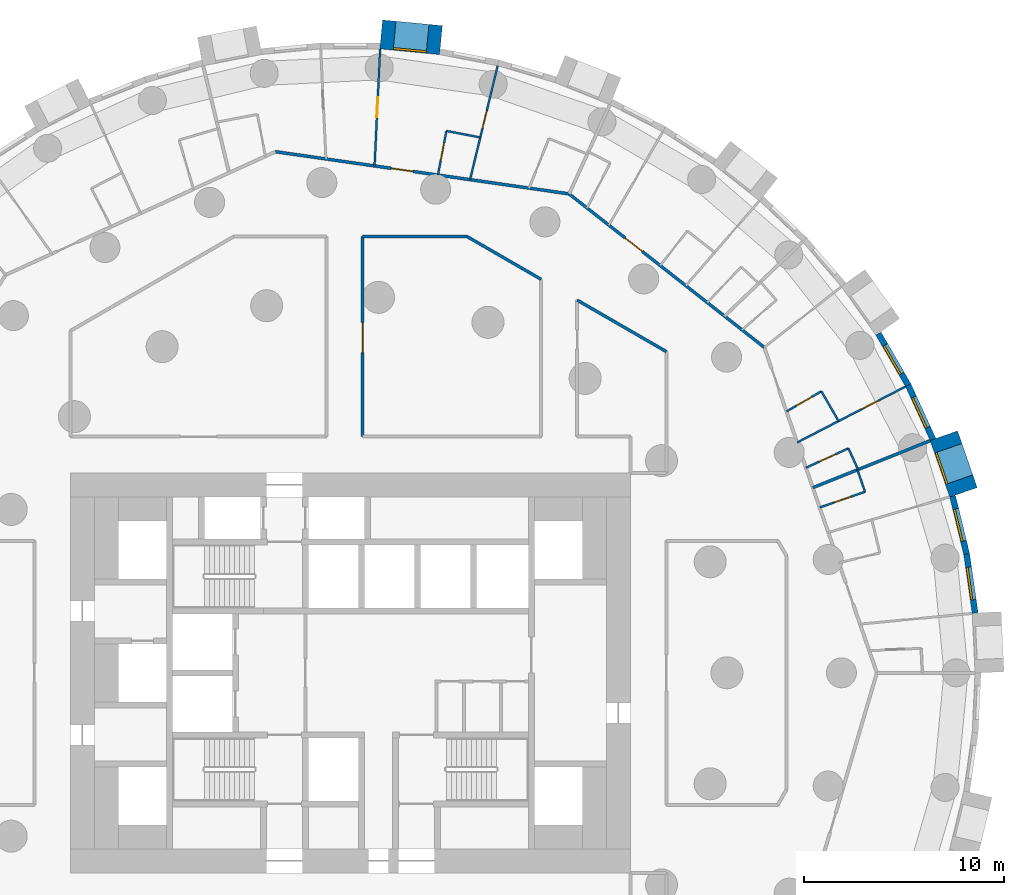
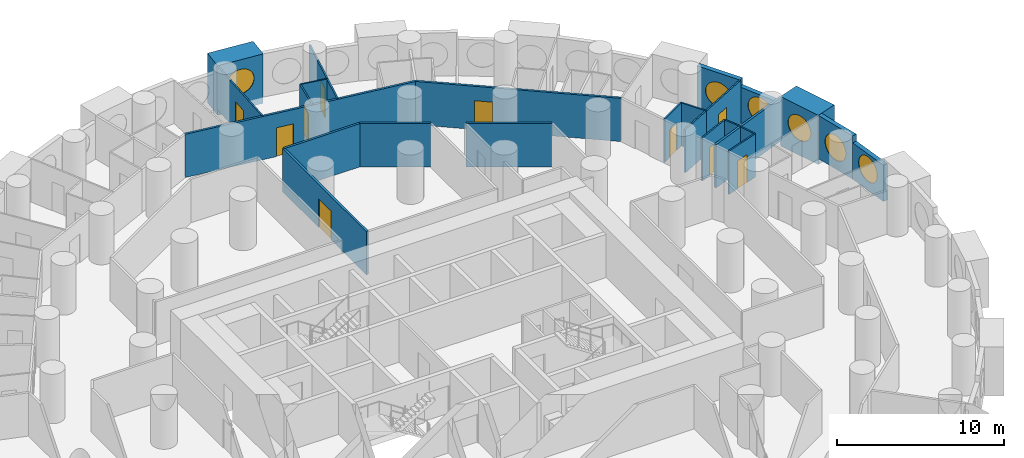
# One storey, part 9 of 12: 27 walls, 10 doors, 6 windows, 16 openings.
"""IFC4 building model written with IfcOpenShell, lengths in metres."""

from ifc_helpers import new_model, si_unit, direction, frame, frame_2d, origin, origin_2d, place, context, subcontext, project, spatial, rectangle, circle, extrude, material, layer, layer_set, type_object, element, fill, save


model = new_model("IFC4")

# Units and contexts
model_context = context("Model", 3, precision=1e-05, world=origin(), true_north=direction((0.0, 1.0)))
body_context = subcontext(model_context, "Body", "Model", "MODEL_VIEW")
ifc_project = project(units=[si_unit("LENGTHUNIT", "METRE"), si_unit("AREAUNIT", "SQUARE_METRE"), si_unit("VOLUMEUNIT", "CUBIC_METRE"), si_unit("PLANEANGLEUNIT", "RADIAN"), si_unit("MASSUNIT", "GRAM", prefix="KILO")], contexts=[model_context])

# Site, building, storey
site_placement = place(None, origin())
site = spatial("IfcSite", under=ifc_project, at=site_placement, CompositionType="ELEMENT")
building_placement = place(site_placement, origin())
building = spatial("IfcBuilding", under=site, at=building_placement, Name="Tracery Tower", CompositionType="ELEMENT")
storey_placement = place(building_placement, frame((0.0, 0.0, 42.60009765625)))
storey = spatial("IfcBuildingStorey", under=building, at=storey_placement, Name="L09", CompositionType="ELEMENT", Elevation=42.60009765625)

# Wall, opening, window
ifc_material_1 = material(Name="Precast concrete C50/60", Category="concrete")
ifc_layer_1 = layer(ifc_material_1, 1.449951171875)
ifc_layer_set_1 = layer_set([ifc_layer_1], Name="Deep-set bay unit 3000 x 3600, slab edge 450")
wall_type_1 = type_object("IfcWallType", Name="Deep-set bay unit 3000 x 3600, slab edge 450", PredefinedType="ELEMENTEDWALL", material=ifc_layer_set_1)
wall_1_placement = place(storey_placement, frame((30.649169921875, 9.0205078125, -0.4501953125), z_axis=(0.0, 0.0, 1.0), x_axis=(-0.327071431777, 0.944999618262, 0.0)))
wall_1 = element("IfcWall", 1, at=wall_1_placement, inside=storey, type_object=wall_type_1, Name="Deep-set bay unit 4 at L09", PredefinedType="ELEMENTEDWALL", context=body_context, shape_type="SweptSolid", body=[
    extrude(rectangle(XDim=3.0, YDim=1.449951171875, at=frame_2d((1.5, 0.0))), origin(), (0.0, 0.0, 1.0), 3.60009765625),
])
opening_1_placement = place(wall_1_placement, frame((1.5, 0.0, 2.0)))
opening_1 = element("IfcOpeningElement", 2, at=opening_1_placement, cuts=wall_1, Name="Opening WN1", PredefinedType="OPENING", context=body_context, shape_type="SweptSolid", body=[
    extrude(circle(Radius=0.9000244140625, at=origin_2d()), frame((0.0, 0.73486328125, 0.0), z_axis=(0.0, -1.0, 0.0), x_axis=(1.0, 0.0, 0.0)), (0.0, 0.0, 1.0), 1.469970703125),
])
ifc_material_2 = material(Name="Aluminium frame with tinted double glazing", Category="aluminium")
window_type = type_object("IfcWindowType", Name="Round window 1800", PartitioningType="SINGLE_PANEL", PredefinedType="WINDOW", material=ifc_material_2)
window_1_placement = place(opening_1_placement, origin())
window_1 = element("IfcWindow", 3, at=window_1_placement, inside=storey, type_object=window_type, Name="Round window 4 at L09", OverallHeight=1.800048828125, OverallWidth=1.800048828125, PartitioningType="SINGLE_PANEL", PredefinedType="WINDOW", context=body_context, shape_type="SweptSolid", body=[
    extrude(circle(Radius=0.9000244140625, at=origin_2d()), frame((0.0, 0.69482421875, 0.0), z_axis=(0.0, -1.0, 0.0), x_axis=(1.0, 0.0, 0.0)), (0.0, 0.0, 1.0), 0.10009765625),
])
fill(opening_1, window_1)

wall_2_placement = place(storey_placement, frame((4.52685546875, 31.626708984375, -0.4501953125), z_axis=(0.0, 0.0, 1.0), x_axis=(-0.995472768558, 0.09504718333, 0.0)))
wall_2 = element("IfcWall", 4, at=wall_2_placement, inside=storey, type_object=wall_type_1, Name="Deep-set bay unit 16 at L09", PredefinedType="ELEMENTEDWALL", context=body_context, shape_type="SweptSolid", body=[
    extrude(rectangle(XDim=3.000244140625, YDim=1.449951171875, at=frame_2d((1.5, 0.0))), origin(), (0.0, 0.0, 1.0), 3.60009765625),
])
opening_2_placement = place(wall_2_placement, frame((1.5, 0.0, 2.0)))
opening_2 = element("IfcOpeningElement", 5, at=opening_2_placement, cuts=wall_2, Name="Opening WN1", PredefinedType="OPENING", context=body_context, shape_type="SweptSolid", body=[
    extrude(circle(Radius=0.9000244140625, at=origin_2d()), frame((0.0, 0.73486328125, 0.0), z_axis=(0.0, -1.0, 0.0), x_axis=(1.0, 0.0, 0.0)), (0.0, 0.0, 1.0), 1.469970703125),
])
window_2_placement = place(opening_2_placement, origin())
window_2 = element("IfcWindow", 6, at=window_2_placement, inside=storey, type_object=window_type, Name="Round window 16 at L09", OverallHeight=1.800048828125, OverallWidth=1.800048828125, PartitioningType="SINGLE_PANEL", PredefinedType="WINDOW", context=body_context, shape_type="SweptSolid", body=[
    extrude(circle(Radius=0.9000244140625, at=origin_2d()), frame((0.0, 0.69482421875, 0.0), z_axis=(0.0, -1.0, 0.0), x_axis=(1.0, 0.0, 0.0)), (0.0, 0.0, 1.0), 0.10009765625),
])
fill(opening_2, window_2)

ifc_material_3 = material(Name="Precast concrete C50/60", Category="concrete")
ifc_layer_2 = layer(ifc_material_3, 0.300048828125)
ifc_layer_set_2 = layer_set([ifc_layer_2], Name="Facade panel 3000 x 2650")
wall_type_2 = type_object("IfcWallType", Name="Facade panel 3000 x 2650", PredefinedType="SOLIDWALL", material=ifc_layer_set_2)
wall_3_placement = place(storey_placement, frame((31.2314453125, 2.98828125, 0.0), z_axis=(0.0, 0.0, 1.0), x_axis=(-0.142315996627, 0.989821275334, 0.0)))
wall_3 = element("IfcWall", 7, at=wall_3_placement, inside=storey, type_object=wall_type_2, Name="Facade panel 2 at L09", PredefinedType="SOLIDWALL", context=body_context, shape_type="SweptSolid", body=[
    extrude(rectangle(XDim=2.979736328125, YDim=0.300048828125, at=frame_2d((1.48974609375, 0.0))), origin(), (0.0, 0.0, 1.0), 2.64990234375),
])
opening_3_placement = place(wall_3_placement, frame((1.48974609375, 0.0, 1.5498046875)))
opening_3 = element("IfcOpeningElement", 8, at=opening_3_placement, cuts=wall_3, Name="Opening WN1", PredefinedType="OPENING", context=body_context, shape_type="SweptSolid", body=[
    extrude(circle(Radius=0.9000244140625, at=origin_2d()), frame((0.0, 0.159912109375, 0.0), z_axis=(0.0, -1.0, 0.0), x_axis=(1.0, 0.0, 0.0)), (0.0, 0.0, 1.0), 0.320068359375),
])
window_3_placement = place(opening_3_placement, origin())
window_3 = element("IfcWindow", 9, at=window_3_placement, inside=storey, type_object=window_type, Name="Round window 2 at L09", OverallHeight=1.800048828125, OverallWidth=1.800048828125, PartitioningType="SINGLE_PANEL", PredefinedType="WINDOW", context=body_context, shape_type="SweptSolid", body=[
    extrude(circle(Radius=0.9000244140625, at=origin_2d()), frame((0.0, 0.1201171875, 0.0), z_axis=(0.0, -1.0, 0.0), x_axis=(1.0, 0.0, 0.0)), (0.0, 0.0, 1.0), 0.10009765625),
])
fill(opening_3, window_3)

wall_4_placement = place(storey_placement, frame((29.12451171875, 11.666259765625, 0.0), z_axis=(0.0, 0.0, 1.0), x_axis=(-0.415407317162, 0.909635509888, 0.0)))
wall_4 = element("IfcWall", 10, at=wall_4_placement, inside=storey, type_object=wall_type_2, Name="Facade panel 5 at L09", PredefinedType="SOLIDWALL", context=body_context, shape_type="SweptSolid", body=[
    extrude(rectangle(XDim=2.979736328125, YDim=0.300048828125, at=frame_2d((1.48974609375, 0.0))), origin(), (0.0, 0.0, 1.0), 2.64990234375),
])
opening_4_placement = place(wall_4_placement, frame((1.48974609375, 0.0, 1.5498046875)))
opening_4 = element("IfcOpeningElement", 11, at=opening_4_placement, cuts=wall_4, Name="Opening WN1", PredefinedType="OPENING", context=body_context, shape_type="SweptSolid", body=[
    extrude(circle(Radius=0.9000244140625, at=origin_2d()), frame((0.0, 0.159912109375, 0.0), z_axis=(0.0, -1.0, 0.0), x_axis=(1.0, 0.0, 0.0)), (0.0, 0.0, 1.0), 0.320068359375),
])
window_4_placement = place(opening_4_placement, origin())
window_4 = element("IfcWindow", 12, at=window_4_placement, inside=storey, type_object=window_type, Name="Round window 5 at L09", OverallHeight=1.800048828125, OverallWidth=1.800048828125, PartitioningType="SINGLE_PANEL", PredefinedType="WINDOW", context=body_context, shape_type="SweptSolid", body=[
    extrude(circle(Radius=0.9000244140625, at=origin_2d()), frame((0.0, 0.1201171875, 0.0), z_axis=(0.0, -1.0, 0.0), x_axis=(1.0, 0.0, 0.0)), (0.0, 0.0, 1.0), 0.10009765625),
])
fill(opening_4, window_4)

ifc_material_4 = material(Name="Precast concrete C50/60", Category="concrete")
ifc_layer_3 = layer(ifc_material_4, 0.300048828125)
ifc_layer_set_3 = layer_set([ifc_layer_3], Name="Facade panel 3000 x 3150")
wall_type_3 = type_object("IfcWallType", Name="Facade panel 3000 x 3150", PredefinedType="SOLIDWALL", material=ifc_layer_set_3)
wall_5_placement = place(storey_placement, frame((30.807373046875, 5.937744140625, 0.0), z_axis=(0.0, 0.0, 1.0), x_axis=(-0.235743081534, 0.971815414319, 0.0)))
wall_5 = element("IfcWall", 13, at=wall_5_placement, inside=storey, type_object=wall_type_3, Name="Facade panel 3 at L09", PredefinedType="SOLIDWALL", context=body_context, shape_type="SweptSolid", body=[
    extrude(rectangle(XDim=2.9794921875, YDim=0.300048828125, at=frame_2d((1.48974609375, 0.0))), origin(), (0.0, 0.0, 1.0), 3.14990234375),
])
opening_5_placement = place(wall_5_placement, frame((1.48974609375, 0.0, 1.5498046875)))
opening_5 = element("IfcOpeningElement", 14, at=opening_5_placement, cuts=wall_5, Name="Opening WN1", PredefinedType="OPENING", context=body_context, shape_type="SweptSolid", body=[
    extrude(circle(Radius=0.9000244140625, at=origin_2d()), frame((0.0, 0.159912109375, 0.0), z_axis=(0.0, -1.0, 0.0), x_axis=(1.0, 0.0, 0.0)), (0.0, 0.0, 1.0), 0.320068359375),
])
window_5_placement = place(opening_5_placement, origin())
window_5 = element("IfcWindow", 15, at=window_5_placement, inside=storey, type_object=window_type, Name="Round window 3 at L09", OverallHeight=1.800048828125, OverallWidth=1.800048828125, PartitioningType="SINGLE_PANEL", PredefinedType="WINDOW", context=body_context, shape_type="SweptSolid", body=[
    extrude(circle(Radius=0.9000244140625, at=origin_2d()), frame((0.0, 0.1201171875, 0.0), z_axis=(0.0, -1.0, 0.0), x_axis=(1.0, 0.0, 0.0)), (0.0, 0.0, 1.0), 0.10009765625),
])
fill(opening_5, window_5)

wall_6_placement = place(storey_placement, frame((27.88671875, 14.376708984375, 0.0), z_axis=(0.0, 0.0, 1.0), x_axis=(-0.499999078476, 0.866025935826, 0.0)))
wall_6 = element("IfcWall", 16, at=wall_6_placement, inside=storey, type_object=wall_type_3, Name="Facade panel 6 at L09", PredefinedType="SOLIDWALL", context=body_context, shape_type="SweptSolid", body=[
    extrude(rectangle(XDim=2.9794921875, YDim=0.300048828125, at=frame_2d((1.48974609375, 0.0))), origin(), (0.0, 0.0, 1.0), 3.14990234375),
])
opening_6_placement = place(wall_6_placement, frame((1.48974609375, 0.0, 1.5498046875)))
opening_6 = element("IfcOpeningElement", 17, at=opening_6_placement, cuts=wall_6, Name="Opening WN1", PredefinedType="OPENING", context=body_context, shape_type="SweptSolid", body=[
    extrude(circle(Radius=0.9000244140625, at=origin_2d()), frame((0.0, 0.159912109375, 0.0), z_axis=(0.0, -1.0, 0.0), x_axis=(1.0, 0.0, 0.0)), (0.0, 0.0, 1.0), 0.320068359375),
])
window_6_placement = place(opening_6_placement, origin())
window_6 = element("IfcWindow", 18, at=window_6_placement, inside=storey, type_object=window_type, Name="Round window 6 at L09", OverallHeight=1.800048828125, OverallWidth=1.800048828125, PartitioningType="SINGLE_PANEL", PredefinedType="WINDOW", context=body_context, shape_type="SweptSolid", body=[
    extrude(circle(Radius=0.9000244140625, at=origin_2d()), frame((0.0, 0.1201171875, 0.0), z_axis=(0.0, -1.0, 0.0), x_axis=(1.0, 0.0, 0.0)), (0.0, 0.0, 1.0), 0.10009765625),
])
fill(opening_6, window_6)

# Wall, opening, door
ifc_material_5 = material(Name="Plasterboard on steel studs", Category="steel")
ifc_layer_4 = layer(ifc_material_5, 0.10009765625)
ifc_layer_set_4 = layer_set([ifc_layer_4], Name="Partition 100 stud")
wall_type_4 = type_object("IfcWallType", Name="Partition 100 stud", PredefinedType="PARTITIONING", material=ifc_layer_set_4)
wall_7_placement = place(storey_placement, frame((24.404052734375, 12.58203125, 0.0), z_axis=(0.0, 0.0, 1.0), x_axis=(0.888877805079, 0.458144352403, 0.0)))
wall_7 = element("IfcWall", 19, at=wall_7_placement, inside=storey, type_object=wall_type_4, Name="Stud partition RA2-072", PredefinedType="PARTITIONING", context=body_context, shape_type="SweptSolid", body=[
    extrude(rectangle(XDim=3.767578125, YDim=0.10009765625, at=frame_2d((1.8837890625, 0.0))), origin(), (0.0, 0.0, 1.0), 3.14990234375),
])
opening_7_placement = place(wall_7_placement, frame((1.310546875, 0.0, 0.0)))
opening_7 = element("IfcOpeningElement", 20, at=opening_7_placement, cuts=wall_7, Name="Opening RA2-17", PredefinedType="OPENING", context=body_context, shape_type="SweptSolid", body=[
    extrude(rectangle(XDim=0.89990234375, YDim=2.10009765625, at=frame_2d((0.449951171875, 1.050048828125))), frame((0.0, 0.050048828125, 0.0), z_axis=(0.0, -1.0, 0.0), x_axis=(1.0, 0.0, 0.0)), (0.0, 0.0, 1.0), 0.10009765625),
])
ifc_material_6 = material(Name="Timber door leaf", Category="wood")
door_type_1 = type_object("IfcDoorType", Name="Door bedroom 900", OperationType="NOTDEFINED", PredefinedType="DOOR", material=ifc_material_6)
door_1_placement = place(opening_7_placement, origin())
door_1 = element("IfcDoor", 21, at=door_1_placement, inside=storey, type_object=door_type_1, Name="Bedroom door RA2-17", OperationType="SINGLE_SWING_RIGHT", OverallHeight=2.10009765625, OverallWidth=0.89990234375, PredefinedType="DOOR", context=body_context, shape_type="SweptSolid", body=[
    extrude(rectangle(XDim=0.89990234375, YDim=2.10009765625, at=frame_2d((0.449951171875, 1.050048828125))), frame((0.0, 0.02490234375, 0.0), z_axis=(0.0, -1.0, 0.0), x_axis=(1.0, 0.0, 0.0)), (0.0, 0.0, 1.0), 0.050048828125),
])
fill(opening_7, door_1)

wall_8_placement = place(storey_placement, frame((1.20703125, 25.339111328125, 0.0), z_axis=(0.0, 0.0, 1.0), x_axis=(0.047648334785, 0.998864173045, 0.0)))
wall_8 = element("IfcWall", 22, at=wall_8_placement, inside=storey, type_object=wall_type_4, Name="Stud partition RA2-090", PredefinedType="PARTITIONING", context=body_context, shape_type="SweptSolid", body=[
    extrude(rectangle(XDim=5.8564453125, YDim=0.10009765625, at=frame_2d((2.92822265625, 0.0))), origin(), (0.0, 0.0, 1.0), 3.14990234375),
])
opening_8_placement = place(wall_8_placement, frame((2.427978515625, 0.0, 0.0)))
opening_8 = element("IfcOpeningElement", 23, at=opening_8_placement, cuts=wall_8, Name="Opening RA2-28", PredefinedType="OPENING", context=body_context, shape_type="SweptSolid", body=[
    extrude(rectangle(XDim=1.0, YDim=2.0400390625, at=frame_2d((0.5, 1.02001953125))), frame((0.0, 0.050048828125, 0.0), z_axis=(0.0, -1.0, 0.0), x_axis=(1.0, 0.0, 0.0)), (0.0, 0.0, 1.0), 0.10009765625),
])
ifc_material_7 = material(Name="Timber door leaf", Category="wood")
door_type_2 = type_object("IfcDoorType", Name="Door communal room 1000", OperationType="NOTDEFINED", PredefinedType="DOOR", material=ifc_material_7)
door_2_placement = place(opening_8_placement, origin())
door_2 = element("IfcDoor", 24, at=door_2_placement, inside=storey, type_object=door_type_2, Name="Communal room door RA2-28", OperationType="SINGLE_SWING_LEFT", OverallHeight=2.0400390625, OverallWidth=1.0, PredefinedType="DOOR", context=body_context, shape_type="SweptSolid", body=[
    extrude(rectangle(XDim=1.0, YDim=2.0400390625, at=frame_2d((0.5, 1.02001953125))), frame((0.0, 0.02490234375, 0.0), z_axis=(0.0, -1.0, 0.0), x_axis=(1.0, 0.0, 0.0)), (0.0, 0.0, 1.0), 0.050048828125),
])
fill(opening_8, door_2)

wall_9_placement = place(storey_placement, frame((6.491943359375, 26.761962890625, 0.0), z_axis=(0.0, 0.0, 1.0), x_axis=(0.235797175218, 0.971802290674, 0.0)))
wall_9 = element("IfcWall", 25, at=wall_9_placement, inside=storey, type_object=wall_type_4, Name="Stud partition RA2-093", PredefinedType="PARTITIONING", context=body_context, shape_type="SweptSolid", body=[
    extrude(rectangle(XDim=3.68603515625, YDim=0.10009765625, at=frame_2d((1.843017578125, 0.0))), origin(), (0.0, 0.0, 1.0), 3.14990234375),
])
opening_9_placement = place(wall_9_placement, frame((0.473876953125, 0.0, 0.0)))
opening_9 = element("IfcOpeningElement", 26, at=opening_9_placement, cuts=wall_9, Name="Opening RA2-30", PredefinedType="OPENING", context=body_context, shape_type="SweptSolid", body=[
    extrude(rectangle(XDim=0.89990234375, YDim=2.10009765625, at=frame_2d((0.449951171875, 1.050048828125))), frame((0.0, 0.050048828125, 0.0), z_axis=(0.0, -1.0, 0.0), x_axis=(1.0, 0.0, 0.0)), (0.0, 0.0, 1.0), 0.10009765625),
])
door_3_placement = place(opening_9_placement, origin())
door_3 = element("IfcDoor", 27, at=door_3_placement, inside=storey, type_object=door_type_1, Name="Bedroom door RA2-30", OperationType="SINGLE_SWING_RIGHT", OverallHeight=2.10009765625, OverallWidth=0.89990234375, PredefinedType="DOOR", context=body_context, shape_type="SweptSolid", body=[
    extrude(rectangle(XDim=0.89990234375, YDim=2.10009765625, at=frame_2d((0.449951171875, 1.050048828125))), frame((0.0, 0.02490234375, 0.0), z_axis=(0.0, -1.0, 0.0), x_axis=(1.0, 0.0, 0.0)), (0.0, 0.0, 1.0), 0.050048828125),
])
fill(opening_9, door_3)

ifc_material_8 = material(Name="Plasterboard on steel studs", Category="steel")
ifc_layer_5 = layer(ifc_material_8, 0.10009765625)
ifc_layer_set_5 = layer_set([ifc_layer_5], Name="Partition 100 wet wall")
wall_type_5 = type_object("IfcWallType", Name="Partition 100 wet wall", PredefinedType="PARTITIONING", material=ifc_layer_set_5)
wall_10_placement = place(storey_placement, frame((23.458984375, 8.262939453125, 0.0), z_axis=(0.0, 0.0, 1.0), x_axis=(0.944978817091, 0.327131525917, 0.0)))
wall_10 = element("IfcWall", 28, at=wall_10_placement, inside=storey, type_object=wall_type_5, Name="Wet wall RA2-066", PredefinedType="PARTITIONING", context=body_context, shape_type="SweptSolid", body=[
    extrude(rectangle(XDim=2.400146484375, YDim=0.10009765625, at=frame_2d((1.2001953125, 0.0))), origin(), (0.0, 0.0, 1.0), 3.14990234375),
])
opening_10_placement = place(wall_10_placement, frame((0.75, 0.0, 0.0)))
opening_10 = element("IfcOpeningElement", 29, at=opening_10_placement, cuts=wall_10, Name="Opening RA2-14", PredefinedType="OPENING", context=body_context, shape_type="SweptSolid", body=[
    extrude(rectangle(XDim=0.89990234375, YDim=2.0400390625, at=frame_2d((0.449951171875, 1.02001953125))), frame((0.0, 0.050048828125, 0.0), z_axis=(0.0, -1.0, 0.0), x_axis=(1.0, 0.0, 0.0)), (0.0, 0.0, 1.0), 0.10009765625),
])
ifc_material_9 = material(Name="Timber door leaf", Category="wood")
door_type_3 = type_object("IfcDoorType", Name="Door en-suite 900", OperationType="NOTDEFINED", PredefinedType="DOOR", material=ifc_material_9)
door_4_placement = place(opening_10_placement, origin())
door_4 = element("IfcDoor", 30, at=door_4_placement, inside=storey, type_object=door_type_3, Name="En-suite door RA2-14", OperationType="SINGLE_SWING_LEFT", OverallHeight=2.0400390625, OverallWidth=0.89990234375, PredefinedType="DOOR", context=body_context, shape_type="SweptSolid", body=[
    extrude(rectangle(XDim=0.89990234375, YDim=2.0400390625, at=frame_2d((0.449951171875, 1.02001953125))), frame((0.0, 0.02490234375, 0.0), z_axis=(0.0, -1.0, 0.0), x_axis=(1.0, 0.0, 0.0)), (0.0, 0.0, 1.0), 0.050048828125),
])
fill(opening_10, door_4)

# Walls
wall_11_placement = place(storey_placement, frame((25.345947265625, 10.14697265625, 0.0), z_axis=(0.0, 0.0, 1.0), x_axis=(0.327665639351, -0.944793749338, 0.0)))
element("IfcWall", 31, at=wall_11_placement, inside=storey, type_object=wall_type_5, Name="Wet wall RA2-067", PredefinedType="PARTITIONING", context=body_context, shape_type="SweptSolid", body=[
    extrude(rectangle(XDim=1.1630859375, YDim=0.10009765625, at=frame_2d((0.58154296875, 0.0))), origin(), (0.0, 0.0, 1.0), 3.14990234375),
])
wall_12_placement = place(storey_placement, frame((23.5439453125, 14.072021484375, 0.0), z_axis=(0.0, 0.0, 1.0), x_axis=(0.499939472521, -0.866060346521, 0.0)))
element("IfcWall", 32, at=wall_12_placement, inside=storey, type_object=wall_type_5, Name="Wet wall RA2-070", PredefinedType="PARTITIONING", context=body_context, shape_type="SweptSolid", body=[
    extrude(rectangle(XDim=1.720458984375, YDim=0.10009765625, at=frame_2d((0.8603515625, 0.0))), origin(), (0.0, 0.0, 1.0), 3.14990234375),
])

# Wall, opening, door
wall_13_placement = place(storey_placement, frame((21.798095703125, 13.06298828125, 0.0), z_axis=(0.0, 0.0, 1.0), x_axis=(0.865796302872, 0.500396604638, 0.0)))
wall_13 = element("IfcWall", 33, at=wall_13_placement, inside=storey, type_object=wall_type_5, Name="Wet wall RA2-071", PredefinedType="PARTITIONING", context=body_context, shape_type="SweptSolid", body=[
    extrude(rectangle(XDim=2.016357421875, YDim=0.10009765625, at=frame_2d((1.00830078125, 0.0))), origin(), (0.0, 0.0, 1.0), 3.14990234375),
])
opening_11_placement = place(wall_13_placement, frame((0.55859375, 0.0, 0.0)))
opening_11 = element("IfcOpeningElement", 34, at=opening_11_placement, cuts=wall_13, Name="Opening RA2-16", PredefinedType="OPENING", context=body_context, shape_type="SweptSolid", body=[
    extrude(rectangle(XDim=0.89990234375, YDim=2.0, at=frame_2d((0.449951171875, 1.0))), frame((0.0, 0.050048828125, 0.0), z_axis=(0.0, -1.0, 0.0), x_axis=(1.0, 0.0, 0.0)), (0.0, 0.0, 1.0), 0.10009765625),
])
ifc_material_10 = material(Name="Timber door leaf", Category="wood")
door_type_4 = type_object("IfcDoorType", Name="Door shower room 900", OperationType="NOTDEFINED", PredefinedType="DOOR", material=ifc_material_10)
door_5_placement = place(opening_11_placement, origin())
door_5 = element("IfcDoor", 35, at=door_5_placement, inside=storey, type_object=door_type_4, Name="Shower room door RA2-16", OperationType="SINGLE_SWING_LEFT", OverallHeight=2.0, OverallWidth=0.89990234375, PredefinedType="DOOR", context=body_context, shape_type="SweptSolid", body=[
    extrude(rectangle(XDim=0.89990234375, YDim=2.0, at=frame_2d((0.449951171875, 1.0))), frame((0.0, 0.02490234375, 0.0), z_axis=(0.0, -1.0, 0.0), x_axis=(1.0, 0.0, 0.0)), (0.0, 0.0, 1.0), 0.050048828125),
])
fill(opening_11, door_5)

# Walls
wall_14_placement = place(storey_placement, frame((22.333984375, 11.513916015625, 0.0), z_axis=(0.0, 0.0, 1.0), x_axis=(0.888674390259, 0.45853879672, 0.0)))
element("IfcWall", 36, at=wall_14_placement, inside=storey, type_object=wall_type_5, Name="Wet wall RA2-074", PredefinedType="PARTITIONING", context=body_context, shape_type="SweptSolid", body=[
    extrude(rectangle(XDim=2.329345703125, YDim=0.10009765625, at=frame_2d((1.16455078125, 0.0))), origin(), (0.0, 0.0, 1.0), 3.14990234375),
])
wall_15_placement = place(storey_placement, frame((24.89599609375, 11.219970703125, 0.0), z_axis=(0.0, 0.0, 1.0), x_axis=(0.415254658207, -0.909705209855, 0.0)))
element("IfcWall", 37, at=wall_15_placement, inside=storey, type_object=wall_type_5, Name="Wet wall RA2-075", PredefinedType="PARTITIONING", context=body_context, shape_type="SweptSolid", body=[
    extrude(rectangle(XDim=1.165283203125, YDim=0.10009765625, at=frame_2d((0.58251953125, 0.0))), origin(), (0.0, 0.0, 1.0), 3.14990234375),
])

# Wall, opening, door
wall_16_placement = place(storey_placement, frame((22.77099609375, 10.25, 0.0), z_axis=(0.0, 0.0, 1.0), x_axis=(0.909710320081, 0.415243462969, 0.0)))
wall_16 = element("IfcWall", 38, at=wall_16_placement, inside=storey, type_object=wall_type_5, Name="Wet wall RA2-076", PredefinedType="PARTITIONING", context=body_context, shape_type="SweptSolid", body=[
    extrude(rectangle(XDim=2.3359375, YDim=0.10009765625, at=frame_2d((1.16796875, 0.0))), origin(), (0.0, 0.0, 1.0), 3.14990234375),
])
opening_12_placement = place(wall_16_placement, frame((0.718017578125, 0.0, 0.0)))
opening_12 = element("IfcOpeningElement", 39, at=opening_12_placement, cuts=wall_16, Name="Opening RA2-18", PredefinedType="OPENING", context=body_context, shape_type="SweptSolid", body=[
    extrude(rectangle(XDim=0.89990234375, YDim=2.0400390625, at=frame_2d((0.449951171875, 1.02001953125))), frame((0.0, 0.050048828125, 0.0), z_axis=(0.0, -1.0, 0.0), x_axis=(1.0, 0.0, 0.0)), (0.0, 0.0, 1.0), 0.10009765625),
])
door_6_placement = place(opening_12_placement, origin())
door_6 = element("IfcDoor", 40, at=door_6_placement, inside=storey, type_object=door_type_3, Name="En-suite door RA2-18", OperationType="SINGLE_SWING_RIGHT", OverallHeight=2.0400390625, OverallWidth=0.89990234375, PredefinedType="DOOR", context=body_context, shape_type="SweptSolid", body=[
    extrude(rectangle(XDim=0.89990234375, YDim=2.0400390625, at=frame_2d((0.449951171875, 1.02001953125))), frame((0.0, 0.02490234375, 0.0), z_axis=(0.0, -1.0, 0.0), x_axis=(1.0, 0.0, 0.0)), (0.0, 0.0, 1.0), 0.050048828125),
])
fill(opening_12, door_6)

# Wall
wall_17_placement = place(storey_placement, frame((4.799072265625, 27.087890625, 0.0), z_axis=(0.0, 0.0, 1.0), x_axis=(0.981966020483, -0.189057490243, 0.0)))
element("IfcWall", 41, at=wall_17_placement, inside=storey, type_object=wall_type_5, Name="Wet wall RA2-091", PredefinedType="PARTITIONING", context=body_context, shape_type="SweptSolid", body=[
    extrude(rectangle(XDim=1.723876953125, YDim=0.10009765625, at=frame_2d((0.86181640625, 0.0))), origin(), (0.0, 0.0, 1.0), 3.14990234375),
])

# Wall, opening, door
wall_18_placement = place(storey_placement, frame((4.3740234375, 24.883056640625, 0.0), z_axis=(0.0, 0.0, 1.0), x_axis=(0.189295003519, 0.981920262365, 0.0)))
wall_18 = element("IfcWall", 42, at=wall_18_placement, inside=storey, type_object=wall_type_5, Name="Wet wall RA2-092", PredefinedType="PARTITIONING", context=body_context, shape_type="SweptSolid", body=[
    extrude(rectangle(XDim=2.245361328125, YDim=0.10009765625, at=frame_2d((1.12255859375, 0.0))), origin(), (0.0, 0.0, 1.0), 3.14990234375),
])
opening_13_placement = place(wall_18_placement, frame((0.72265625, 0.0, 0.0)))
opening_13 = element("IfcOpeningElement", 43, at=opening_13_placement, cuts=wall_18, Name="Opening RA2-29", PredefinedType="OPENING", context=body_context, shape_type="SweptSolid", body=[
    extrude(rectangle(XDim=0.89990234375, YDim=2.0, at=frame_2d((0.449951171875, 1.0))), frame((0.0, 0.050048828125, 0.0), z_axis=(0.0, -1.0, 0.0), x_axis=(1.0, 0.0, 0.0)), (0.0, 0.0, 1.0), 0.10009765625),
])
door_7_placement = place(opening_13_placement, origin())
door_7 = element("IfcDoor", 44, at=door_7_placement, inside=storey, type_object=door_type_4, Name="Shower room door RA2-29", OperationType="SINGLE_SWING_LEFT", OverallHeight=2.0, OverallWidth=0.89990234375, PredefinedType="DOOR", context=body_context, shape_type="SweptSolid", body=[
    extrude(rectangle(XDim=0.89990234375, YDim=2.0, at=frame_2d((0.449951171875, 1.0))), frame((0.0, 0.02490234375, 0.0), z_axis=(0.0, -1.0, 0.0), x_axis=(1.0, 0.0, 0.0)), (0.0, 0.0, 1.0), 0.050048828125),
])
fill(opening_13, door_7)

# Walls
wall_19_placement = place(storey_placement, frame((5.98095703125, 24.652099609375, 0.0), z_axis=(0.0, 0.0, 1.0), x_axis=(0.235384360709, 0.971902362757, 0.0)))
element("IfcWall", 45, at=wall_19_placement, inside=storey, type_object=wall_type_5, Name="Wet wall RA2-095", PredefinedType="PARTITIONING", context=body_context, shape_type="SweptSolid", body=[
    extrude(rectangle(XDim=2.1708984375, YDim=0.10009765625, at=frame_2d((1.08544921875, 0.0))), origin(), (0.0, 0.0, 1.0), 3.14990234375),
])
ifc_material_11 = material(Name="Plasterboard on steel studs", Category="steel")
ifc_layer_6 = layer(ifc_material_11, 0.14990234375)
ifc_layer_set_6 = layer_set([ifc_layer_6], Name="Partition 150 acoustic unit wall")
wall_type_6 = type_object("IfcWallType", Name="Partition 150 acoustic unit wall", PredefinedType="PARTITIONING", material=ifc_layer_set_6)
wall_20_placement = place(storey_placement, frame((25.3759765625, 10.158935546875, 0.0), z_axis=(0.0, 0.0, 1.0), x_axis=(0.928368463908, 0.371661129553, 0.0)))
element("IfcWall", 46, at=wall_20_placement, inside=storey, type_object=wall_type_6, Name="Unit wall RA2-068", PredefinedType="PARTITIONING", context=body_context, shape_type="SweptSolid", body=[
    extrude(rectangle(XDim=3.890869140625, YDim=0.14990234375, at=frame_2d((1.9453125, 0.0))), origin(), (0.0, 0.0, 1.0), 3.14990234375),
])
wall_21_placement = place(storey_placement, frame((23.115966796875, 9.25390625, 0.0), z_axis=(0.0, 0.0, 1.0), x_axis=(0.928322407966, 0.371776151559, 0.0)))
element("IfcWall", 47, at=wall_21_placement, inside=storey, type_object=wall_type_6, Name="Unit wall RA2-069", PredefinedType="PARTITIONING", context=body_context, shape_type="SweptSolid", body=[
    extrude(rectangle(XDim=2.402099609375, YDim=0.14990234375, at=frame_2d((1.201171875, 0.0))), origin(), (0.0, 0.0, 1.0), 3.14990234375),
])

# Wall, opening, door
ifc_material_12 = material(Name="Plasterboard on steel studs", Category="steel")
ifc_layer_7 = layer(ifc_material_12, 0.14990234375)
ifc_layer_set_7 = layer_set([ifc_layer_7], Name="Partition 150 corridor wall")
wall_type_7 = type_object("IfcWallType", Name="Partition 150 corridor wall", PredefinedType="PARTITIONING", material=ifc_layer_set_7)
wall_22_placement = place(storey_placement, frame((10.93310546875, 23.93994140625, 0.0), z_axis=(0.0, 0.0, 1.0), x_axis=(0.786069782367, -0.618137765591, 0.0)))
wall_22 = element("IfcWall", 48, at=wall_22_placement, inside=storey, type_object=wall_type_7, Name="Corridor wall RA2-021", PredefinedType="PARTITIONING", context=body_context, shape_type="SweptSolid", body=[
    extrude(rectangle(XDim=12.40966796875, YDim=0.14990234375, at=frame_2d((6.204833984375, 0.0))), origin(), (0.0, 0.0, 1.0), 3.14990234375),
])
opening_14_placement = place(wall_22_placement, frame((3.558837890625, 0.0, 0.0)))
opening_14 = element("IfcOpeningElement", 49, at=opening_14_placement, cuts=wall_22, Name="Opening RA2-21", PredefinedType="OPENING", context=body_context, shape_type="SweptSolid", body=[
    extrude(rectangle(XDim=1.10009765625, YDim=2.10009765625, at=frame_2d((0.550048828125, 1.050048828125))), frame((0.0, 0.074951171875, 0.0), z_axis=(0.0, -1.0, 0.0), x_axis=(1.0, 0.0, 0.0)), (0.0, 0.0, 1.0), 0.14990234375),
])
ifc_material_13 = material(Name="Timber door leaf", Category="wood")
door_type_5 = type_object("IfcDoorType", Name="Door cluster entrance 1100", OperationType="NOTDEFINED", PredefinedType="DOOR", material=ifc_material_13)
door_8_placement = place(opening_14_placement, origin())
door_8 = element("IfcDoor", 50, at=door_8_placement, inside=storey, type_object=door_type_5, Name="Cluster entrance door RA2-21", OperationType="SINGLE_SWING_LEFT", OverallHeight=2.10009765625, OverallWidth=1.10009765625, PredefinedType="DOOR", context=body_context, shape_type="SweptSolid", body=[
    extrude(rectangle(XDim=1.10009765625, YDim=2.10009765625, at=frame_2d((0.550048828125, 1.050048828125))), frame((0.0, 0.02490234375, 0.0), z_axis=(0.0, -1.0, 0.0), x_axis=(1.0, 0.0, 0.0)), (0.0, 0.0, 1.0), 0.050048828125),
])
fill(opening_14, door_8)

# Walls
wall_23_placement = place(storey_placement, frame((5.842041015625, 21.802001953125, 0.0), z_axis=(0.0, 0.0, 1.0), x_axis=(0.865983505205, -0.500072563448, 0.0)))
element("IfcWall", 51, at=wall_23_placement, inside=storey, type_object=wall_type_7, Name="Corridor wall RA2-029", PredefinedType="PARTITIONING", context=body_context, shape_type="SweptSolid", body=[
    extrude(rectangle(XDim=4.265380859375, YDim=0.14990234375, at=frame_2d((2.1328125, 0.0))), origin(), (0.0, 0.0, 1.0), 3.14990234375),
])
wall_24_placement = place(storey_placement, frame((0.60791015625, 21.802001953125, 0.0), z_axis=(0.0, 0.0, 1.0), x_axis=(1.0, 0.0, 0.0)))
element("IfcWall", 52, at=wall_24_placement, inside=storey, type_object=wall_type_7, Name="Corridor wall RA2-030", PredefinedType="PARTITIONING", context=body_context, shape_type="SweptSolid", body=[
    extrude(rectangle(XDim=5.234130859375, YDim=0.14990234375, at=frame_2d((2.6171875, 0.0))), origin(), (0.0, 0.0, 1.0), 3.14990234375),
])

# Wall, opening, door
wall_25_placement = place(storey_placement, frame((0.60791015625, 11.800048828125, 0.0), z_axis=(0.0, 0.0, 1.0), x_axis=(0.0, 1.0, 0.0)))
wall_25 = element("IfcWall", 53, at=wall_25_placement, inside=storey, type_object=wall_type_7, Name="Corridor wall RA2-031", PredefinedType="PARTITIONING", context=body_context, shape_type="SweptSolid", body=[
    extrude(rectangle(XDim=10.001953125, YDim=0.14990234375, at=frame_2d((5.0009765625, 0.0))), origin(), (0.0, 0.0, 1.0), 3.14990234375),
])
opening_15_placement = place(wall_25_placement, frame((4.200927734375, 0.0, 0.0)))
opening_15 = element("IfcOpeningElement", 54, at=opening_15_placement, cuts=wall_25, Name="Opening RA2-02", PredefinedType="OPENING", context=body_context, shape_type="SweptSolid", body=[
    extrude(rectangle(XDim=1.5, YDim=2.10009765625, at=frame_2d((0.75, 1.050048828125))), frame((0.0, 0.074951171875, 0.0), z_axis=(0.0, -1.0, 0.0), x_axis=(1.0, 0.0, 0.0)), (0.0, 0.0, 1.0), 0.14990234375),
])
ifc_material_14 = material(Name="Timber door leaf", Category="wood")
door_type_6 = type_object("IfcDoorType", Name="Door double kitchen 1500", OperationType="NOTDEFINED", PredefinedType="DOOR", material=ifc_material_14)
door_9_placement = place(opening_15_placement, origin())
door_9 = element("IfcDoor", 55, at=door_9_placement, inside=storey, type_object=door_type_6, Name="Double kitchen door RA2-02", OperationType="DOUBLE_DOOR_SINGLE_SWING", OverallHeight=2.10009765625, OverallWidth=1.5, PredefinedType="DOOR", context=body_context, shape_type="SweptSolid", body=[
    extrude(rectangle(XDim=1.5, YDim=2.10009765625, at=frame_2d((0.75, 1.050048828125))), frame((0.0, 0.02490234375, 0.0), z_axis=(0.0, -1.0, 0.0), x_axis=(1.0, 0.0, 0.0)), (0.0, 0.0, 1.0), 0.050048828125),
])
fill(opening_15, door_9)

# Wall
wall_26_placement = place(storey_placement, frame((11.3359375, 18.6298828125, 0.0), z_axis=(0.0, 0.0, 1.0), x_axis=(0.866063337164, -0.499934291702, 0.0)))
element("IfcWall", 56, at=wall_26_placement, inside=storey, type_object=wall_type_7, Name="Corridor wall RA2-032", PredefinedType="PARTITIONING", context=body_context, shape_type="SweptSolid", body=[
    extrude(rectangle(XDim=5.154541015625, YDim=0.14990234375, at=frame_2d((2.5771484375, 0.0))), origin(), (0.0, 0.0, 1.0), 3.14990234375),
])

# Wall, opening, door
wall_27_placement = place(storey_placement, frame((-3.74609375, 26.0498046875, 0.0), z_axis=(0.0, 0.0, 1.0), x_axis=(0.989841871115, -0.14217267736, 0.0)))
wall_27 = element("IfcWall", 57, at=wall_27_placement, inside=storey, type_object=wall_type_7, Name="Corridor wall RA2-034", PredefinedType="PARTITIONING", context=body_context, shape_type="SweptSolid", body=[
    extrude(rectangle(XDim=14.829833984375, YDim=0.14990234375, at=frame_2d((7.4150390625, 0.0))), origin(), (0.0, 0.0, 1.0), 3.14990234375),
])
opening_16_placement = place(wall_27_placement, frame((5.85400390625, 0.0, 0.0)))
opening_16 = element("IfcOpeningElement", 58, at=opening_16_placement, cuts=wall_27, Name="Opening RA2-27", PredefinedType="OPENING", context=body_context, shape_type="SweptSolid", body=[
    extrude(rectangle(XDim=1.10009765625, YDim=2.10009765625, at=frame_2d((0.550048828125, 1.050048828125))), frame((0.0, 0.074951171875, 0.0), z_axis=(0.0, -1.0, 0.0), x_axis=(1.0, 0.0, 0.0)), (0.0, 0.0, 1.0), 0.14990234375),
])
door_10_placement = place(opening_16_placement, origin())
door_10 = element("IfcDoor", 59, at=door_10_placement, inside=storey, type_object=door_type_5, Name="Cluster entrance door RA2-27", OperationType="SINGLE_SWING_LEFT", OverallHeight=2.10009765625, OverallWidth=1.10009765625, PredefinedType="DOOR", context=body_context, shape_type="SweptSolid", body=[
    extrude(rectangle(XDim=1.10009765625, YDim=2.10009765625, at=frame_2d((0.550048828125, 1.050048828125))), frame((0.0, 0.02490234375, 0.0), z_axis=(0.0, -1.0, 0.0), x_axis=(1.0, 0.0, 0.0)), (0.0, 0.0, 1.0), 0.050048828125),
])
fill(opening_16, door_10)

save(model, "model.ifc")
